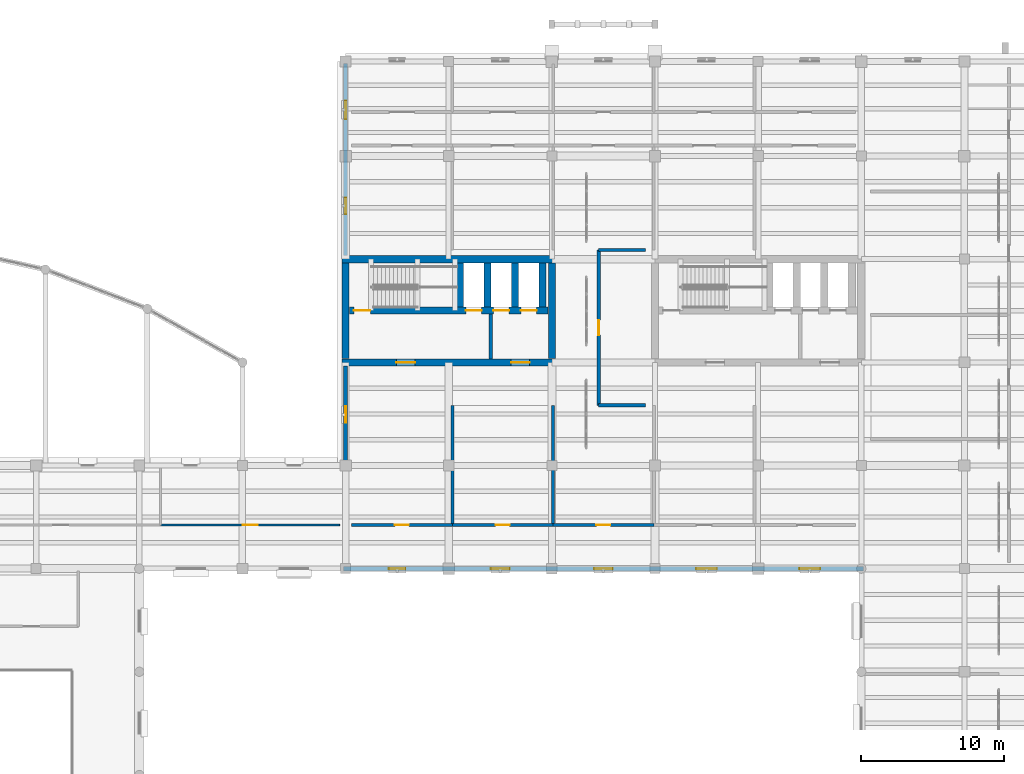
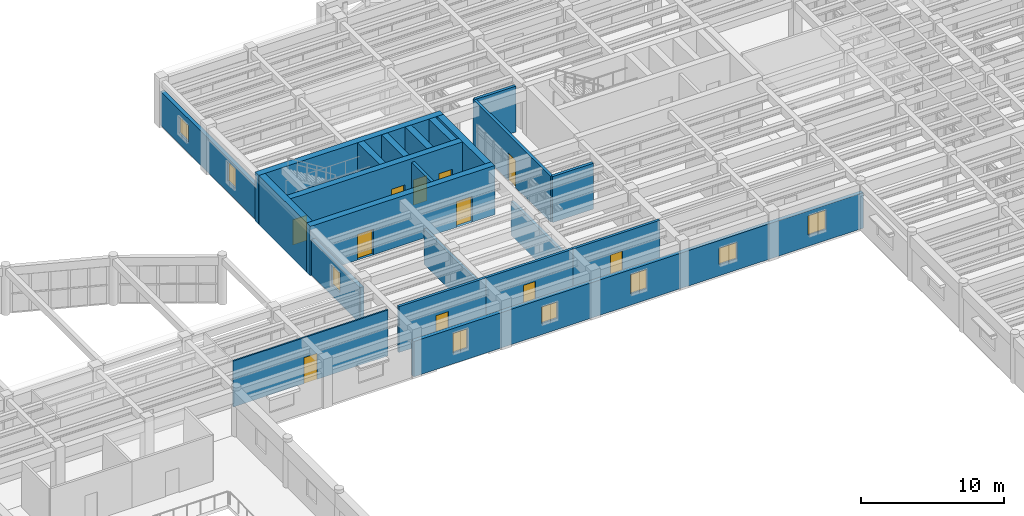
# One storey, part 57 of 76: 22 walls, 11 doors, 8 windows, 19 openings.
"""IFC4 building model written with IfcOpenShell, lengths in metres."""

from ifc_helpers import new_model, si_unit, direction, frame, frame_2d, origin, place, context, subcontext, project, spatial, rectangle, extrude, material, layer, layer_set, type_object, element, fill, save


model = new_model("IFC4")

# Units and contexts
model_context = context("Model", 3, precision=1e-05, world=origin(), true_north=direction((0.0, 1.0)))
body_context = subcontext(model_context, "Body", "Model", "MODEL_VIEW")
ifc_project = project(units=[si_unit("LENGTHUNIT", "METRE"), si_unit("AREAUNIT", "SQUARE_METRE"), si_unit("VOLUMEUNIT", "CUBIC_METRE"), si_unit("PLANEANGLEUNIT", "RADIAN"), si_unit("MASSUNIT", "GRAM", prefix="KILO")], contexts=[model_context])

# Site, building, storey
site_placement = place(None, origin())
site = spatial("IfcSite", under=ifc_project, at=site_placement, CompositionType="ELEMENT")
building_placement = place(site_placement, origin())
building = spatial("IfcBuilding", under=site, at=building_placement, Name="Mithqara Police Headquarters", CompositionType="ELEMENT")
storey_placement = place(building_placement, frame((0.0, 0.0, 5.39990234375)))
storey = spatial("IfcBuildingStorey", under=building, at=storey_placement, Name="L01", CompositionType="ELEMENT", Elevation=5.39990234375)

# Wall
ifc_material_1 = material(Name="Concrete C40/50", Category="concrete")
ifc_layer_1 = layer(ifc_material_1, 0.239990234375, Name="Concrete C40/50")
ifc_layer_set_1 = layer_set([ifc_layer_1], Name="Concrete C40/50")
wall_type_1 = type_object("IfcWallType", Name="CORE LOBBY WALL 240", PredefinedType="SOLIDWALL", material=ifc_layer_set_1)
wall_1_placement = place(storey_placement, frame((118.72998046875, 93.25, 0.0), z_axis=(0.0, 0.0, 1.0), x_axis=(0.0, 1.0, 0.0)))
element("IfcWall", 1, at=wall_1_placement, inside=storey, type_object=wall_type_1, Name="Core C1 Command West Firefighting Lobby Separation Wall L01", PredefinedType="SOLIDWALL", context=body_context, shape_type="SweptSolid", body=[
    extrude(rectangle(XDim=3.1201171875, YDim=0.239990234375, at=frame_2d((1.56005859375, 0.0))), origin(), (0.0, 0.0, 1.0), 3.89013671875),
])

# Wall, openings, windows
ifc_material_2 = material(Name="Ochre masonry cavity wall, 35 MPa", Category="masonry")
ifc_layer_2 = layer(ifc_material_2, 0.300048828125, Name="Ochre masonry cavity wall, 35 MPa")
ifc_layer_set_2 = layer_set([ifc_layer_2], Name="Ochre masonry cavity wall, 35 MPa")
wall_type_2 = type_object("IfcWallType", Name="EXT WALL OCHRE BRICK300", PredefinedType="SOLIDWALL", material=ifc_layer_set_2)
wall_2_placement = place(storey_placement, frame((108.60009765625, 113.85009765625, 0.0), z_axis=(0.0, 0.0, 1.0), x_axis=(0.0, -1.0, 0.0)))
wall_2 = element("IfcWall", 2, at=wall_2_placement, inside=storey, type_object=wall_type_2, Name="L01 Exterior Wall 11.1", PredefinedType="SOLIDWALL", context=body_context, shape_type="SweptSolid", body=[
    extrude(rectangle(XDim=13.400146484375, YDim=0.300048828125, at=frame_2d((6.7001953125, 0.0))), origin(), (0.0, 0.0, 1.0), 2.920166015625),
])
opening_1_placement = place(wall_2_placement, frame((9.35009765625, 0.0, 0.949951171875)))
opening_1 = element("IfcOpeningElement", 3, at=opening_1_placement, cuts=wall_2, Name="Opening W-12", PredefinedType="OPENING", context=body_context, shape_type="SweptSolid", body=[
    extrude(rectangle(XDim=1.14990234375, YDim=1.64990234375, at=frame_2d((0.574951171875, 0.824951171875))), frame((0.0, 0.16015625, 0.0), z_axis=(0.0, -1.0, 0.0), x_axis=(1.0, 0.0, 0.0)), (0.0, 0.0, 1.0), 0.320068359375),
])
opening_2_placement = place(wall_2_placement, frame((2.574951171875, 0.0, 0.949951171875)))
opening_2 = element("IfcOpeningElement", 4, at=opening_2_placement, cuts=wall_2, Name="Opening W-16", PredefinedType="OPENING", context=body_context, shape_type="SweptSolid", body=[
    extrude(rectangle(XDim=1.300048828125, YDim=1.39990234375, at=frame_2d((0.64990234375, 0.699951171875))), frame((0.0, 0.16015625, 0.0), z_axis=(0.0, -1.0, 0.0), x_axis=(1.0, 0.0, 0.0)), (0.0, 0.0, 1.0), 0.320068359375),
])
ifc_material_3 = material(Name="Spectrally selective double low-e glass", Category="glass")
window_type_1 = type_object("IfcWindowType", Name="WINDOW 1150X1650", PartitioningType="SINGLE_PANEL", PredefinedType="WINDOW", material=ifc_material_3)
window_1_placement = place(opening_1_placement, origin())
window_1 = element("IfcWindow", 5, at=window_1_placement, inside=storey, type_object=window_type_1, Name="L01 Command Block Screened Window 11.1", OverallHeight=1.64990234375, OverallWidth=1.14990234375, PartitioningType="SINGLE_PANEL", PredefinedType="WINDOW", context=body_context, shape_type="SweptSolid", body=[
    extrude(rectangle(XDim=1.14990234375, YDim=1.64990234375, at=frame_2d((0.574951171875, 0.824951171875))), frame((0.0, 0.030029296875, 0.0), z_axis=(0.0, -1.0, 0.0), x_axis=(1.0, 0.0, 0.0)), (0.0, 0.0, 1.0), 0.06005859375),
])
fill(opening_1, window_1)
window_type_2 = type_object("IfcWindowType", Name="WINDOW 1300X1400", PartitioningType="SINGLE_PANEL", PredefinedType="WINDOW", material=ifc_material_3)
window_2_placement = place(opening_2_placement, origin())
window_2 = element("IfcWindow", 6, at=window_2_placement, inside=storey, type_object=window_type_2, Name="L01 Command Block Screened Window 11.2", OverallHeight=1.39990234375, OverallWidth=1.300048828125, PartitioningType="SINGLE_PANEL", PredefinedType="WINDOW", context=body_context, shape_type="SweptSolid", body=[
    extrude(rectangle(XDim=1.300048828125, YDim=1.39990234375, at=frame_2d((0.64990234375, 0.699951171875))), frame((0.0, 0.030029296875, 0.0), z_axis=(0.0, -1.0, 0.0), x_axis=(1.0, 0.0, 0.0)), (0.0, 0.0, 1.0), 0.06005859375),
])
fill(opening_2, window_2)

# Wall, opening, window
wall_3_placement = place(storey_placement, frame((108.60009765625, 92.75, 0.0), z_axis=(0.0, 0.0, 1.0), x_axis=(0.0, -1.0, 0.0)))
wall_3 = element("IfcWall", 7, at=wall_3_placement, inside=storey, type_object=wall_type_2, Name="L01 Exterior Wall 11.2", PredefinedType="SOLIDWALL", context=body_context, shape_type="SweptSolid", body=[
    extrude(rectangle(XDim=6.800048828125, YDim=0.300048828125, at=frame_2d((3.39990234375, 0.0))), origin(), (0.0, 0.0, 1.0), 3.070068359375),
])
opening_3_placement = place(wall_3_placement, frame((2.824951171875, 0.0, 0.949951171875)))
opening_3 = element("IfcOpeningElement", 8, at=opening_3_placement, cuts=wall_3, Name="Opening W-12", PredefinedType="OPENING", context=body_context, shape_type="SweptSolid", body=[
    extrude(rectangle(XDim=1.14990234375, YDim=1.64990234375, at=frame_2d((0.574951171875, 0.824951171875))), frame((0.0, 0.16015625, 0.0), z_axis=(0.0, -1.0, 0.0), x_axis=(1.0, 0.0, 0.0)), (0.0, 0.0, 1.0), 0.320068359375),
])
window_3_placement = place(opening_3_placement, origin())
window_3 = element("IfcWindow", 9, at=window_3_placement, inside=storey, type_object=window_type_1, Name="L01 Command Block Screened Window 11.1", OverallHeight=1.64990234375, OverallWidth=1.14990234375, PartitioningType="SINGLE_PANEL", PredefinedType="WINDOW", context=body_context, shape_type="SweptSolid", body=[
    extrude(rectangle(XDim=1.14990234375, YDim=1.64990234375, at=frame_2d((0.574951171875, 0.824951171875))), frame((0.0, 0.030029296875, 0.0), z_axis=(0.0, -1.0, 0.0), x_axis=(1.0, 0.0, 0.0)), (0.0, 0.0, 1.0), 0.06005859375),
])
fill(opening_3, window_3)

# Wall, openings, windows
wall_4_placement = place(storey_placement, frame((108.449951171875, 78.60009765625, 0.0), z_axis=(0.0, 0.0, 1.0), x_axis=(1.0, 0.0, 0.0)))
wall_4 = element("IfcWall", 10, at=wall_4_placement, inside=storey, type_object=wall_type_2, Name="L01 Exterior Wall 3.1", PredefinedType="SOLIDWALL", context=body_context, shape_type="SweptSolid", body=[
    extrude(rectangle(XDim=36.300048828125, YDim=0.300048828125, at=frame_2d((18.14990234375, 0.0))), origin(), (0.0, 0.0, 1.0), 3.02001953125),
])
opening_4_placement = place(wall_4_placement, frame((3.175048828125, 0.0, 0.949951171875)))
opening_4 = element("IfcOpeningElement", 11, at=opening_4_placement, cuts=wall_4, Name="Opening W-12", PredefinedType="OPENING", context=body_context, shape_type="SweptSolid", body=[
    extrude(rectangle(XDim=1.14990234375, YDim=1.64990234375, at=frame_2d((0.574951171875, 0.824951171875))), frame((0.0, 0.16015625, 0.0), z_axis=(0.0, -1.0, 0.0), x_axis=(1.0, 0.0, 0.0)), (0.0, 0.0, 1.0), 0.320068359375),
])
opening_5_placement = place(wall_4_placement, frame((10.300048828125, 0.0, 0.949951171875)))
opening_5 = element("IfcOpeningElement", 12, at=opening_5_placement, cuts=wall_4, Name="Opening W-16", PredefinedType="OPENING", context=body_context, shape_type="SweptSolid", body=[
    extrude(rectangle(XDim=1.300048828125, YDim=1.39990234375, at=frame_2d((0.64990234375, 0.699951171875))), frame((0.0, 0.16015625, 0.0), z_axis=(0.0, -1.0, 0.0), x_axis=(1.0, 0.0, 0.0)), (0.0, 0.0, 1.0), 0.320068359375),
])
opening_6_placement = place(wall_4_placement, frame((17.5, 0.0, 0.949951171875)))
opening_6 = element("IfcOpeningElement", 13, at=opening_6_placement, cuts=wall_4, Name="Opening W-17", PredefinedType="OPENING", context=body_context, shape_type="SweptSolid", body=[
    extrude(rectangle(XDim=1.300048828125, YDim=1.64990234375, at=frame_2d((0.64990234375, 0.824951171875))), frame((0.0, 0.16015625, 0.0), z_axis=(0.0, -1.0, 0.0), x_axis=(1.0, 0.0, 0.0)), (0.0, 0.0, 1.0), 0.320068359375),
])
opening_7_placement = place(wall_4_placement, frame((24.625, 0.0, 0.949951171875)))
opening_7 = element("IfcOpeningElement", 14, at=opening_7_placement, cuts=wall_4, Name="Opening W-21", PredefinedType="OPENING", context=body_context, shape_type="SweptSolid", body=[
    extrude(rectangle(XDim=1.449951171875, YDim=1.39990234375, at=frame_2d((0.72509765625, 0.699951171875))), frame((0.0, 0.16015625, 0.0), z_axis=(0.0, -1.0, 0.0), x_axis=(1.0, 0.0, 0.0)), (0.0, 0.0, 1.0), 0.320068359375),
])
opening_8_placement = place(wall_4_placement, frame((31.824951171875, 0.0, 0.949951171875)))
opening_8 = element("IfcOpeningElement", 15, at=opening_8_placement, cuts=wall_4, Name="Opening W-22", PredefinedType="OPENING", context=body_context, shape_type="SweptSolid", body=[
    extrude(rectangle(XDim=1.449951171875, YDim=1.64990234375, at=frame_2d((0.72509765625, 0.824951171875))), frame((0.0, 0.16015625, 0.0), z_axis=(0.0, -1.0, 0.0), x_axis=(1.0, 0.0, 0.0)), (0.0, 0.0, 1.0), 0.320068359375),
])
window_4_placement = place(opening_4_placement, origin())
window_4 = element("IfcWindow", 16, at=window_4_placement, inside=storey, type_object=window_type_1, Name="L01 Command Block Screened Window 3.1", OverallHeight=1.64990234375, OverallWidth=1.14990234375, PartitioningType="SINGLE_PANEL", PredefinedType="WINDOW", context=body_context, shape_type="SweptSolid", body=[
    extrude(rectangle(XDim=1.14990234375, YDim=1.64990234375, at=frame_2d((0.574951171875, 0.824951171875))), frame((0.0, 0.030029296875, 0.0), z_axis=(0.0, -1.0, 0.0), x_axis=(1.0, 0.0, 0.0)), (0.0, 0.0, 1.0), 0.06005859375),
])
fill(opening_4, window_4)
window_5_placement = place(opening_5_placement, origin())
window_5 = element("IfcWindow", 17, at=window_5_placement, inside=storey, type_object=window_type_2, Name="L01 Command Block Screened Window 3.2", OverallHeight=1.39990234375, OverallWidth=1.300048828125, PartitioningType="SINGLE_PANEL", PredefinedType="WINDOW", context=body_context, shape_type="SweptSolid", body=[
    extrude(rectangle(XDim=1.300048828125, YDim=1.39990234375, at=frame_2d((0.64990234375, 0.699951171875))), frame((0.0, 0.030029296875, 0.0), z_axis=(0.0, -1.0, 0.0), x_axis=(1.0, 0.0, 0.0)), (0.0, 0.0, 1.0), 0.06005859375),
])
fill(opening_5, window_5)
window_type_3 = type_object("IfcWindowType", Name="WINDOW 1300X1650", PartitioningType="SINGLE_PANEL", PredefinedType="WINDOW", material=ifc_material_3)
window_6_placement = place(opening_6_placement, origin())
window_6 = element("IfcWindow", 18, at=window_6_placement, inside=storey, type_object=window_type_3, Name="L01 Command Block Screened Window 3.3", OverallHeight=1.64990234375, OverallWidth=1.300048828125, PartitioningType="SINGLE_PANEL", PredefinedType="WINDOW", context=body_context, shape_type="SweptSolid", body=[
    extrude(rectangle(XDim=1.300048828125, YDim=1.64990234375, at=frame_2d((0.64990234375, 0.824951171875))), frame((0.0, 0.030029296875, 0.0), z_axis=(0.0, -1.0, 0.0), x_axis=(1.0, 0.0, 0.0)), (0.0, 0.0, 1.0), 0.06005859375),
])
fill(opening_6, window_6)
window_type_4 = type_object("IfcWindowType", Name="WINDOW 1450X1400", PartitioningType="SINGLE_PANEL", PredefinedType="WINDOW", material=ifc_material_3)
window_7_placement = place(opening_7_placement, origin())
window_7 = element("IfcWindow", 19, at=window_7_placement, inside=storey, type_object=window_type_4, Name="L01 Command Block Screened Window 3.4", OverallHeight=1.39990234375, OverallWidth=1.449951171875, PartitioningType="SINGLE_PANEL", PredefinedType="WINDOW", context=body_context, shape_type="SweptSolid", body=[
    extrude(rectangle(XDim=1.449951171875, YDim=1.39990234375, at=frame_2d((0.72509765625, 0.699951171875))), frame((0.0, 0.030029296875, 0.0), z_axis=(0.0, -1.0, 0.0), x_axis=(1.0, 0.0, 0.0)), (0.0, 0.0, 1.0), 0.06005859375),
])
fill(opening_7, window_7)
window_type_5 = type_object("IfcWindowType", Name="WINDOW 1450X1650", PartitioningType="SINGLE_PANEL", PredefinedType="WINDOW", material=ifc_material_3)
window_8_placement = place(opening_8_placement, origin())
window_8 = element("IfcWindow", 20, at=window_8_placement, inside=storey, type_object=window_type_5, Name="L01 Command Block Screened Window 3.5", OverallHeight=1.64990234375, OverallWidth=1.449951171875, PartitioningType="SINGLE_PANEL", PredefinedType="WINDOW", context=body_context, shape_type="SweptSolid", body=[
    extrude(rectangle(XDim=1.449951171875, YDim=1.64990234375, at=frame_2d((0.72509765625, 0.824951171875))), frame((0.0, 0.030029296875, 0.0), z_axis=(0.0, -1.0, 0.0), x_axis=(1.0, 0.0, 0.0)), (0.0, 0.0, 1.0), 0.06005859375),
])
fill(opening_8, window_8)

# Wall, opening, door
ifc_material_4 = material(Name="Gypsum acoustic stud partition", Category="gypsum")
ifc_layer_3 = layer(ifc_material_4, 0.1201171875, Name="Gypsum acoustic stud partition")
ifc_layer_set_3 = layer_set([ifc_layer_3], Name="Gypsum acoustic stud partition")
wall_type_3 = type_object("IfcWallType", Name="PART WALL 120", PredefinedType="PARTITIONING", material=ifc_layer_set_3)
wall_5_placement = place(storey_placement, frame((95.68505859375, 81.639892578125, 0.0), z_axis=(0.0, 0.0, 1.0), x_axis=(1.0, 0.0, 0.0)))
wall_5 = element("IfcWall", 21, at=wall_5_placement, inside=storey, type_object=wall_type_3, Name="L01 Corridor Wall Social Worker Liaison Room", PredefinedType="PARTITIONING", context=body_context, shape_type="SweptSolid", body=[
    extrude(rectangle(XDim=12.494873046875, YDim=0.1201171875, at=frame_2d((6.24755859375, 0.0))), origin(), (0.0, 0.0, 1.0), 3.920166015625),
])
opening_9_placement = place(wall_5_placement, frame((5.7275390625, 0.0, 0.0)))
opening_9 = element("IfcOpeningElement", 22, at=opening_9_placement, cuts=wall_5, Name="Opening D-08", PredefinedType="OPENING", context=body_context, shape_type="SweptSolid", body=[
    extrude(rectangle(XDim=1.0400390625, YDim=2.219970703125, at=frame_2d((0.52001953125, 1.10986328125))), frame((0.0, 0.070068359375, 0.0), z_axis=(0.0, -1.0, 0.0), x_axis=(1.0, 0.0, 0.0)), (0.0, 0.0, 1.0), 0.14013671875),
])
ifc_material_5 = material(Name="Acoustic solid-core timber leaf", Category="wood")
door_type_1 = type_object("IfcDoorType", Name="INT DOOR 1040X2220", OperationType="NOTDEFINED", PredefinedType="DOOR", material=ifc_material_5)
door_1_placement = place(opening_9_placement, origin())
door_1 = element("IfcDoor", 23, at=door_1_placement, inside=storey, type_object=door_type_1, Name="Social Worker Liaison Room Entry Door", OperationType="SINGLE_SWING_LEFT", OverallHeight=2.219970703125, OverallWidth=1.0400390625, PredefinedType="DOOR", context=body_context, shape_type="SweptSolid", body=[
    extrude(rectangle(XDim=1.0400390625, YDim=2.219970703125, at=frame_2d((0.52001953125, 1.10986328125))), frame((0.0, 0.02490234375, 0.0), z_axis=(0.0, -1.0, 0.0), x_axis=(1.0, 0.0, 0.0)), (0.0, 0.0, 1.0), 0.050048828125),
])
fill(opening_9, door_1)

ifc_layer_4 = layer(ifc_material_1, 0.2099609375, Name="Concrete C40/50")
ifc_layer_set_4 = layer_set([ifc_layer_4], Name="Concrete C40/50")
wall_type_4 = type_object("IfcWallType", Name="PART WALL 210", PredefinedType="PARTITIONING", material=ifc_layer_set_4)
wall_6_placement = place(storey_placement, frame((109.02001953125, 81.639892578125, 0.0), z_axis=(0.0, 0.0, 1.0), x_axis=(1.0, 0.0, 0.0)))
wall_6 = element("IfcWall", 24, at=wall_6_placement, inside=storey, type_object=wall_type_4, Name="L01 Corridor Wall Traffic Patrol Operations Room", PredefinedType="PARTITIONING", context=body_context, shape_type="SweptSolid", body=[
    extrude(rectangle(XDim=7.031982421875, YDim=0.2099609375, at=frame_2d((3.51611328125, 0.0))), origin(), (0.0, 0.0, 1.0), 3.920166015625),
])
opening_10_placement = place(wall_6_placement, frame((3.02587890625, 0.0, 0.0)))
opening_10 = element("IfcOpeningElement", 25, at=opening_10_placement, cuts=wall_6, Name="Opening D-04", PredefinedType="OPENING", context=body_context, shape_type="SweptSolid", body=[
    extrude(rectangle(XDim=0.97998046875, YDim=2.10009765625, at=frame_2d((0.489990234375, 1.050048828125))), frame((0.0, 0.114990234375, 0.0), z_axis=(0.0, -1.0, 0.0), x_axis=(1.0, 0.0, 0.0)), (0.0, 0.0, 1.0), 0.22998046875),
])
door_type_2 = type_object("IfcDoorType", Name="INT DOOR 980X2100", OperationType="NOTDEFINED", PredefinedType="DOOR", material=ifc_material_5)
door_2_placement = place(opening_10_placement, origin())
door_2 = element("IfcDoor", 26, at=door_2_placement, inside=storey, type_object=door_type_2, Name="Traffic Patrol Operations Room Entry Door", OperationType="SINGLE_SWING_LEFT", OverallHeight=2.10009765625, OverallWidth=0.97998046875, PredefinedType="DOOR", context=body_context, shape_type="SweptSolid", body=[
    extrude(rectangle(XDim=0.97998046875, YDim=2.10009765625, at=frame_2d((0.489990234375, 1.050048828125))), frame((0.0, 0.02490234375, 0.0), z_axis=(0.0, -1.0, 0.0), x_axis=(1.0, 0.0, 0.0)), (0.0, 0.0, 1.0), 0.050048828125),
])
fill(opening_10, door_2)

# Wall
wall_7_placement = place(storey_placement, frame((116.052001953125, 81.639892578125, 0.0), z_axis=(0.0, 0.0, 1.0), x_axis=(0.0, 1.0, 0.0)))
element("IfcWall", 27, at=wall_7_placement, inside=storey, type_object=wall_type_4, Name="L01 Room Partition Traffic Patrol Operations Room", PredefinedType="PARTITIONING", context=body_context, shape_type="SweptSolid", body=[
    extrude(rectangle(XDim=8.360107421875, YDim=0.2099609375, at=frame_2d((4.18017578125, 0.0))), origin(), (0.0, 0.0, 1.0), 3.02001953125),
])

# Wall, opening, door
wall_8_placement = place(storey_placement, frame((116.052001953125, 81.639892578125, 0.0), z_axis=(0.0, 0.0, 1.0), x_axis=(1.0, 0.0, 0.0)))
wall_8 = element("IfcWall", 28, at=wall_8_placement, inside=storey, type_object=wall_type_4, Name="L01 Corridor Wall Municipal Camera Liaison Room", PredefinedType="PARTITIONING", context=body_context, shape_type="SweptSolid", body=[
    extrude(rectangle(XDim=7.031982421875, YDim=0.2099609375, at=frame_2d((3.51611328125, 0.0))), origin(), (0.0, 0.0, 1.0), 3.920166015625),
])
opening_11_placement = place(wall_8_placement, frame((3.02587890625, 0.0, 0.0)))
opening_11 = element("IfcOpeningElement", 29, at=opening_11_placement, cuts=wall_8, Name="Opening D-05", PredefinedType="OPENING", context=body_context, shape_type="SweptSolid", body=[
    extrude(rectangle(XDim=0.97998046875, YDim=2.219970703125, at=frame_2d((0.489990234375, 1.10986328125))), frame((0.0, 0.114990234375, 0.0), z_axis=(0.0, -1.0, 0.0), x_axis=(1.0, 0.0, 0.0)), (0.0, 0.0, 1.0), 0.22998046875),
])
door_type_3 = type_object("IfcDoorType", Name="INT DOOR 980X2220", OperationType="NOTDEFINED", PredefinedType="DOOR", material=ifc_material_5)
door_3_placement = place(opening_11_placement, origin())
door_3 = element("IfcDoor", 30, at=door_3_placement, inside=storey, type_object=door_type_3, Name="Municipal Camera Liaison Room Entry Door", OperationType="SINGLE_SWING_RIGHT", OverallHeight=2.219970703125, OverallWidth=0.97998046875, PredefinedType="DOOR", context=body_context, shape_type="SweptSolid", body=[
    extrude(rectangle(XDim=0.97998046875, YDim=2.219970703125, at=frame_2d((0.489990234375, 1.10986328125))), frame((0.0, 0.02490234375, 0.0), z_axis=(0.0, -1.0, 0.0), x_axis=(1.0, 0.0, 0.0)), (0.0, 0.0, 1.0), 0.050048828125),
])
fill(opening_11, door_3)

# Wall
wall_9_placement = place(storey_placement, frame((123.083984375, 81.639892578125, 0.0), z_axis=(0.0, 0.0, 1.0), x_axis=(0.0, 1.0, 0.0)))
element("IfcWall", 31, at=wall_9_placement, inside=storey, type_object=wall_type_4, Name="L01 Room Partition Municipal Camera Liaison Room", PredefinedType="PARTITIONING", context=body_context, shape_type="SweptSolid", body=[
    extrude(rectangle(XDim=8.360107421875, YDim=0.2099609375, at=frame_2d((4.18017578125, 0.0))), origin(), (0.0, 0.0, 1.0), 2.920166015625),
])

# Wall, opening, door
wall_10_placement = place(storey_placement, frame((123.083984375, 81.639892578125, 0.0), z_axis=(0.0, 0.0, 1.0), x_axis=(1.0, 0.0, 0.0)))
wall_10 = element("IfcWall", 32, at=wall_10_placement, inside=storey, type_object=wall_type_4, Name="L01 Corridor Wall Briefing Room", PredefinedType="PARTITIONING", context=body_context, shape_type="SweptSolid", body=[
    extrude(rectangle(XDim=7.031982421875, YDim=0.2099609375, at=frame_2d((3.51611328125, 0.0))), origin(), (0.0, 0.0, 1.0), 3.920166015625),
])
opening_12_placement = place(wall_10_placement, frame((3.02587890625, 0.0, 0.0)))
opening_12 = element("IfcOpeningElement", 33, at=opening_12_placement, cuts=wall_10, Name="Opening D-06", PredefinedType="OPENING", context=body_context, shape_type="SweptSolid", body=[
    extrude(rectangle(XDim=0.97998046875, YDim=2.35009765625, at=frame_2d((0.489990234375, 1.175048828125))), frame((0.0, 0.114990234375, 0.0), z_axis=(0.0, -1.0, 0.0), x_axis=(1.0, 0.0, 0.0)), (0.0, 0.0, 1.0), 0.22998046875),
])
door_type_4 = type_object("IfcDoorType", Name="INT DOOR 980X2350", OperationType="NOTDEFINED", PredefinedType="DOOR", material=ifc_material_5)
door_4_placement = place(opening_12_placement, origin())
door_4 = element("IfcDoor", 34, at=door_4_placement, inside=storey, type_object=door_type_4, Name="Briefing Room Entry Door", OperationType="SINGLE_SWING_LEFT", OverallHeight=2.35009765625, OverallWidth=0.97998046875, PredefinedType="DOOR", context=body_context, shape_type="SweptSolid", body=[
    extrude(rectangle(XDim=0.97998046875, YDim=2.35009765625, at=frame_2d((0.489990234375, 1.175048828125))), frame((0.0, 0.02490234375, 0.0), z_axis=(0.0, -1.0, 0.0), x_axis=(1.0, 0.0, 0.0)), (0.0, 0.0, 1.0), 0.050048828125),
])
fill(opening_12, door_4)

# Walls
ifc_layer_5 = layer(ifc_material_1, 0.22998046875, Name="Concrete C40/50")
ifc_layer_set_5 = layer_set([ifc_layer_5], Name="Concrete C40/50")
wall_type_5 = type_object("IfcWallType", Name="PART WALL 230", PredefinedType="PARTITIONING", material=ifc_layer_set_5)
for number, where, z_axis, x_axis, name in (
    (35, (126.27001953125, 90.0, 0.0), (0.0, 0.0, 1.0), (1.0, 0.0, 0.0), "L01 Partition End Closure E0"),
    (36, (126.27001953125, 100.85009765625, 0.0), (0.0, 0.0, 1.0), (1.0, 0.0, 0.0), "L01 Partition End Closure E1"),
):
    element("IfcWall", number, at=place(storey_placement, frame(where, z_axis=z_axis, x_axis=x_axis)), inside=storey, type_object=wall_type_5, Name=name, PredefinedType="PARTITIONING", context=body_context, shape_type="SweptSolid", body=[
        extrude(rectangle(XDim=3.280029296875, YDim=0.22998046875, at=frame_2d((1.64013671875, 0.0))), origin(), (0.0, 0.0, 1.0), 3.920166015625),
    ])

# Wall, opening, door
wall_11_placement = place(storey_placement, frame((126.27001953125, 90.0, 0.0), z_axis=(0.0, 0.0, 1.0), x_axis=(0.0, 1.0, 0.0)))
wall_11 = element("IfcWall", 37, at=wall_11_placement, inside=storey, type_object=wall_type_5, Name="L01 Corridor Wall Traffic Patrol Operations Room", PredefinedType="PARTITIONING", context=body_context, shape_type="SweptSolid", body=[
    extrude(rectangle(XDim=10.85009765625, YDim=0.22998046875, at=frame_2d((5.425048828125, 0.0))), origin(), (0.0, 0.0, 1.0), 3.920166015625),
])
opening_13_placement = place(wall_11_placement, frame((4.905029296875, 0.0, 0.0)))
opening_13 = element("IfcOpeningElement", 38, at=opening_13_placement, cuts=wall_11, Name="Opening D-09", PredefinedType="OPENING", context=body_context, shape_type="SweptSolid", body=[
    extrude(rectangle(XDim=1.0400390625, YDim=2.35009765625, at=frame_2d((0.52001953125, 1.175048828125))), frame((0.0, 0.125, 0.0), z_axis=(0.0, -1.0, 0.0), x_axis=(1.0, 0.0, 0.0)), (0.0, 0.0, 1.0), 0.25),
])
door_type_5 = type_object("IfcDoorType", Name="INT DOOR 1040X2350", OperationType="NOTDEFINED", PredefinedType="DOOR", material=ifc_material_5)
door_5_placement = place(opening_13_placement, origin())
door_5 = element("IfcDoor", 39, at=door_5_placement, inside=storey, type_object=door_type_5, Name="Traffic Patrol Operations Room Entry Door", OperationType="SINGLE_SWING_RIGHT", OverallHeight=2.35009765625, OverallWidth=1.0400390625, PredefinedType="DOOR", context=body_context, shape_type="SweptSolid", body=[
    extrude(rectangle(XDim=1.0400390625, YDim=2.35009765625, at=frame_2d((0.52001953125, 1.175048828125))), frame((0.0, 0.02490234375, 0.0), z_axis=(0.0, -1.0, 0.0), x_axis=(1.0, 0.0, 0.0)), (0.0, 0.0, 1.0), 0.050048828125),
])
fill(opening_13, door_5)

# Wall
ifc_material_6 = material(Name="Concrete C50/60", Category="concrete")
ifc_layer_6 = layer(ifc_material_6, 0.5, Name="Concrete C50/60")
ifc_layer_set_6 = layer_set([ifc_layer_6], Name="Concrete C50/60")
wall_type_6 = type_object("IfcWallType", Name="SHEAR WALL 500", PredefinedType="SHEAR", material=ifc_layer_set_6)
wall_12_placement = place(storey_placement, frame((108.35009765625, 100.199951171875, 0.0), z_axis=(0.0, 0.0, 1.0), x_axis=(1.0, 0.0, 0.0)))
element("IfcWall", 40, at=wall_12_placement, inside=storey, type_object=wall_type_6, Name="Core C1 Command West Shear Wall N", PredefinedType="SHEAR", context=body_context, shape_type="SweptSolid", body=[
    extrude(rectangle(XDim=14.89990234375, YDim=0.5, at=frame_2d((7.449951171875, 0.0))), origin(), (0.0, 0.0, 1.0), 4.2001953125),
])

# Wall, openings, doors
wall_13_placement = place(storey_placement, frame((108.35009765625, 93.0, 0.0), z_axis=(0.0, 0.0, 1.0), x_axis=(1.0, 0.0, 0.0)))
wall_13 = element("IfcWall", 41, at=wall_13_placement, inside=storey, type_object=wall_type_6, Name="Core C1 Command West Shear Wall S", PredefinedType="SHEAR", context=body_context, shape_type="SweptSolid", body=[
    extrude(rectangle(XDim=14.89990234375, YDim=0.5, at=frame_2d((7.449951171875, 0.0))), origin(), (0.0, 0.0, 1.0), 4.2001953125),
])
opening_14_placement = place(wall_13_placement, frame((3.800048828125, 0.0, 0.0)))
opening_14 = element("IfcOpeningElement", 42, at=opening_14_placement, cuts=wall_13, Name="Opening FD-02", PredefinedType="OPENING", context=body_context, shape_type="SweptSolid", body=[
    extrude(rectangle(XDim=1.300048828125, YDim=2.199951171875, at=frame_2d((0.64990234375, 1.10009765625))), frame((0.0, 0.260009765625, 0.0), z_axis=(0.0, -1.0, 0.0), x_axis=(1.0, 0.0, 0.0)), (0.0, 0.0, 1.0), 0.52001953125),
])
opening_15_placement = place(wall_13_placement, frame((11.800048828125, 0.0, 0.0)))
opening_15 = element("IfcOpeningElement", 43, at=opening_15_placement, cuts=wall_13, Name="Opening FD-02", PredefinedType="OPENING", context=body_context, shape_type="SweptSolid", body=[
    extrude(rectangle(XDim=1.300048828125, YDim=2.199951171875, at=frame_2d((0.64990234375, 1.10009765625))), frame((0.0, 0.260009765625, 0.0), z_axis=(0.0, -1.0, 0.0), x_axis=(1.0, 0.0, 0.0)), (0.0, 0.0, 1.0), 0.52001953125),
])
ifc_material_7 = material(Name="Steel S355JR", Category="steel")
door_type_6 = type_object("IfcDoorType", Name="CORE DOOR LOBBY 1300X2200", OperationType="NOTDEFINED", PredefinedType="DOOR", material=ifc_material_7)
door_6_placement = place(opening_14_placement, frame((1.300048828125, 0.0, 0.0), z_axis=(0.0, 0.0, 1.0), x_axis=(-1.0, 0.0, 0.0)))
door_6 = element("IfcDoor", 44, at=door_6_placement, inside=storey, type_object=door_type_6, Name="Core C1 Command West FF Lobby Fire Door L01", OperationType="SINGLE_SWING_LEFT", OverallHeight=2.199951171875, OverallWidth=1.300048828125, PredefinedType="DOOR", context=body_context, shape_type="SweptSolid", body=[
    extrude(rectangle(XDim=1.300048828125, YDim=2.199951171875, at=frame_2d((0.64990234375, 1.10009765625))), frame((0.0, 0.02490234375, 0.0), z_axis=(0.0, -1.0, 0.0), x_axis=(1.0, 0.0, 0.0)), (0.0, 0.0, 1.0), 0.050048828125),
])
fill(opening_14, door_6)
door_7_placement = place(opening_15_placement, frame((1.300048828125, 0.0, 0.0), z_axis=(0.0, 0.0, 1.0), x_axis=(-1.0, 0.0, 0.0)))
door_7 = element("IfcDoor", 45, at=door_7_placement, inside=storey, type_object=door_type_6, Name="Core C1 Command West PA Lobby Fire Door L01", OperationType="SINGLE_SWING_RIGHT", OverallHeight=2.199951171875, OverallWidth=1.300048828125, PredefinedType="DOOR", context=body_context, shape_type="SweptSolid", body=[
    extrude(rectangle(XDim=1.300048828125, YDim=2.199951171875, at=frame_2d((0.64990234375, 1.10009765625))), frame((0.0, 0.02490234375, 0.0), z_axis=(0.0, -1.0, 0.0), x_axis=(1.0, 0.0, 0.0)), (0.0, 0.0, 1.0), 0.050048828125),
])
fill(opening_15, door_7)

# Walls
for number, where, z_axis, x_axis, name in (
    (46, (108.60009765625, 93.260009765625, 0.0), (0.0, 0.0, 1.0), (0.0, 1.0, 0.0), "Core C1 Command West Shear Wall W"),
    (47, (123.0, 93.260009765625, 0.0), (0.0, 0.0, 1.0), (0.0, 1.0, 0.0), "Core C1 Command West Shear Wall E"),
):
    element("IfcWall", number, at=place(storey_placement, frame(where, z_axis=z_axis, x_axis=x_axis)), inside=storey, type_object=wall_type_6, Name=name, PredefinedType="SHEAR", context=body_context, shape_type="SweptSolid", body=[
        extrude(rectangle(XDim=6.679931640625, YDim=0.5, at=frame_2d((3.33984375, 0.0))), origin(), (0.0, 0.0, 1.0), 4.2001953125),
    ])

# Wall, openings, doors
wall_14_placement = place(storey_placement, frame((108.860107421875, 96.6201171875, 0.0), z_axis=(0.0, 0.0, 1.0), x_axis=(1.0, 0.0, 0.0)))
wall_14 = element("IfcWall", 48, at=wall_14_placement, inside=storey, type_object=wall_type_6, Name="Core C1 Command West Shear Wall M", PredefinedType="SHEAR", context=body_context, shape_type="SweptSolid", body=[
    extrude(rectangle(XDim=13.8798828125, YDim=0.5, at=frame_2d((6.93994140625, 0.0))), origin(), (0.0, 0.0, 1.0), 4.2001953125),
])
opening_16_placement = place(wall_14_placement, frame((8.1298828125, 0.0, 0.0)))
opening_16 = element("IfcOpeningElement", 49, at=opening_16_placement, cuts=wall_14, Name="Opening LD-01", PredefinedType="OPENING", context=body_context, shape_type="SweptSolid", body=[
    extrude(rectangle(XDim=1.10009765625, YDim=2.14990234375, at=frame_2d((0.550048828125, 1.074951171875))), frame((0.0, 0.260009765625, 0.0), z_axis=(0.0, -1.0, 0.0), x_axis=(1.0, 0.0, 0.0)), (0.0, 0.0, 1.0), 0.52001953125),
])
opening_17_placement = place(wall_14_placement, frame((10.050048828125, 0.0, 0.0)))
opening_17 = element("IfcOpeningElement", 50, at=opening_17_placement, cuts=wall_14, Name="Opening LD-01", PredefinedType="OPENING", context=body_context, shape_type="SweptSolid", body=[
    extrude(rectangle(XDim=1.10009765625, YDim=2.14990234375, at=frame_2d((0.550048828125, 1.074951171875))), frame((0.0, 0.260009765625, 0.0), z_axis=(0.0, -1.0, 0.0), x_axis=(1.0, 0.0, 0.0)), (0.0, 0.0, 1.0), 0.52001953125),
])
opening_18_placement = place(wall_14_placement, frame((11.969970703125, 0.0, 0.0)))
opening_18 = element("IfcOpeningElement", 51, at=opening_18_placement, cuts=wall_14, Name="Opening LD-01", PredefinedType="OPENING", context=body_context, shape_type="SweptSolid", body=[
    extrude(rectangle(XDim=1.10009765625, YDim=2.14990234375, at=frame_2d((0.550048828125, 1.074951171875))), frame((0.0, 0.260009765625, 0.0), z_axis=(0.0, -1.0, 0.0), x_axis=(1.0, 0.0, 0.0)), (0.0, 0.0, 1.0), 0.52001953125),
])
opening_19_placement = place(wall_14_placement, frame((0.31494140625, 0.0, 0.0)))
opening_19 = element("IfcOpeningElement", 52, at=opening_19_placement, cuts=wall_14, Name="Opening FD-01", PredefinedType="OPENING", context=body_context, shape_type="SweptSolid", body=[
    extrude(rectangle(XDim=1.14990234375, YDim=2.14990234375, at=frame_2d((0.574951171875, 1.074951171875))), frame((0.0, 0.260009765625, 0.0), z_axis=(0.0, -1.0, 0.0), x_axis=(1.0, 0.0, 0.0)), (0.0, 0.0, 1.0), 0.52001953125),
])
door_type_7 = type_object("IfcDoorType", Name="CORE DOOR STAIR 1150X2150", OperationType="NOTDEFINED", PredefinedType="DOOR", material=ifc_material_7)
door_8_placement = place(opening_19_placement, origin())
door_8 = element("IfcDoor", 53, at=door_8_placement, inside=storey, type_object=door_type_7, Name="Stair ST-01 Fire Door L01", OperationType="SINGLE_SWING_RIGHT", OverallHeight=2.14990234375, OverallWidth=1.14990234375, PredefinedType="DOOR", context=body_context, shape_type="SweptSolid", body=[
    extrude(rectangle(XDim=1.14990234375, YDim=2.14990234375, at=frame_2d((0.574951171875, 1.074951171875))), frame((0.0, 0.02490234375, 0.0), z_axis=(0.0, -1.0, 0.0), x_axis=(1.0, 0.0, 0.0)), (0.0, 0.0, 1.0), 0.050048828125),
])
fill(opening_19, door_8)
door_type_8 = type_object("IfcDoorType", Name="LIFT DOOR 1100X2150", OperationType="DOUBLE_DOOR_SLIDING", PredefinedType="DOOR", material=ifc_material_7)
door_9_placement = place(opening_16_placement, frame((1.10009765625, 0.0, 0.0), z_axis=(0.0, 0.0, 1.0), x_axis=(-1.0, 0.0, 0.0)))
door_9 = element("IfcDoor", 54, at=door_9_placement, inside=storey, type_object=door_type_8, Name="Lift Landing Door FL-01-L01", OperationType="DOUBLE_DOOR_SLIDING", OverallHeight=2.14990234375, OverallWidth=1.10009765625, PredefinedType="DOOR", context=body_context, shape_type="SweptSolid", body=[
    extrude(rectangle(XDim=1.10009765625, YDim=2.14990234375, at=frame_2d((0.550048828125, 1.074951171875))), frame((0.0, 0.02490234375, 0.0), z_axis=(0.0, -1.0, 0.0), x_axis=(1.0, 0.0, 0.0)), (0.0, 0.0, 1.0), 0.050048828125),
])
fill(opening_16, door_9)
door_10_placement = place(opening_17_placement, frame((1.10009765625, 0.0, 0.0), z_axis=(0.0, 0.0, 1.0), x_axis=(-1.0, 0.0, 0.0)))
door_10 = element("IfcDoor", 55, at=door_10_placement, inside=storey, type_object=door_type_8, Name="Lift Landing Door LP-01-L01", OperationType="DOUBLE_DOOR_SLIDING", OverallHeight=2.14990234375, OverallWidth=1.10009765625, PredefinedType="DOOR", context=body_context, shape_type="SweptSolid", body=[
    extrude(rectangle(XDim=1.10009765625, YDim=2.14990234375, at=frame_2d((0.550048828125, 1.074951171875))), frame((0.0, 0.02490234375, 0.0), z_axis=(0.0, -1.0, 0.0), x_axis=(1.0, 0.0, 0.0)), (0.0, 0.0, 1.0), 0.050048828125),
])
fill(opening_17, door_10)
door_11_placement = place(opening_18_placement, frame((1.10009765625, 0.0, 0.0), z_axis=(0.0, 0.0, 1.0), x_axis=(-1.0, 0.0, 0.0)))
door_11 = element("IfcDoor", 56, at=door_11_placement, inside=storey, type_object=door_type_8, Name="Lift Landing Door LP-02-L01", OperationType="DOUBLE_DOOR_SLIDING", OverallHeight=2.14990234375, OverallWidth=1.10009765625, PredefinedType="DOOR", context=body_context, shape_type="SweptSolid", body=[
    extrude(rectangle(XDim=1.10009765625, YDim=2.14990234375, at=frame_2d((0.550048828125, 1.074951171875))), frame((0.0, 0.02490234375, 0.0), z_axis=(0.0, -1.0, 0.0), x_axis=(1.0, 0.0, 0.0)), (0.0, 0.0, 1.0), 0.050048828125),
])
fill(opening_18, door_11)

# Walls
for number, where, z_axis, x_axis, name in (
    (57, (116.580078125, 96.8798828125, 0.0), (0.0, 0.0, 1.0), (0.0, 1.0, 0.0), "Core C1 Command West Shear Wall X"),
    (58, (118.5, 96.8798828125, 0.0), (0.0, 0.0, 1.0), (0.0, 1.0, 0.0), "Core C1 Command West Shear Wall L1"),
    (59, (120.419921875, 96.8798828125, 0.0), (0.0, 0.0, 1.0), (0.0, 1.0, 0.0), "Core C1 Command West Shear Wall L2"),
    (60, (122.340087890625, 96.8798828125, 0.0), (0.0, 0.0, 1.0), (0.0, 1.0, 0.0), "Core C1 Command West Shear Wall L3"),
):
    element("IfcWall", number, at=place(storey_placement, frame(where, z_axis=z_axis, x_axis=x_axis)), inside=storey, type_object=wall_type_6, Name=name, PredefinedType="SHEAR", context=body_context, shape_type="SweptSolid", body=[
        extrude(rectangle(XDim=3.06005859375, YDim=0.5, at=frame_2d((1.530029296875, 0.0))), origin(), (0.0, 0.0, 1.0), 4.2001953125),
    ])

save(model, "model.ifc")
